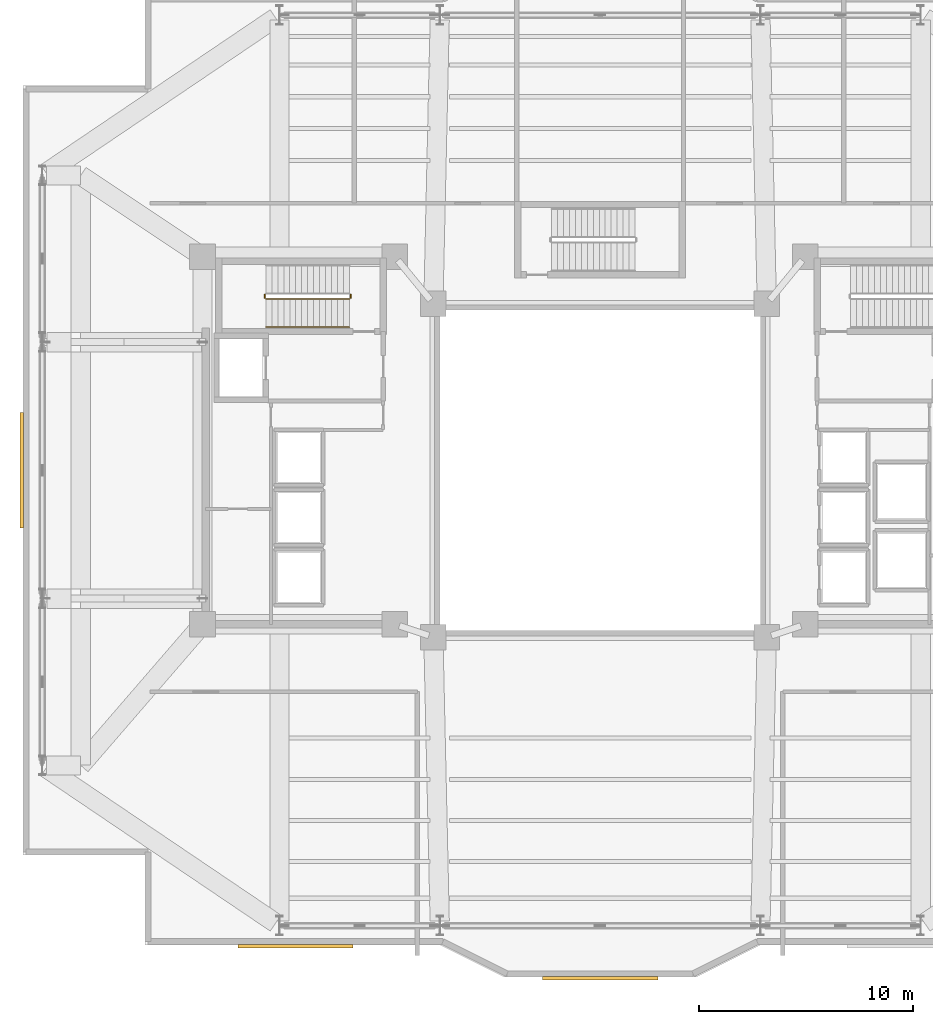
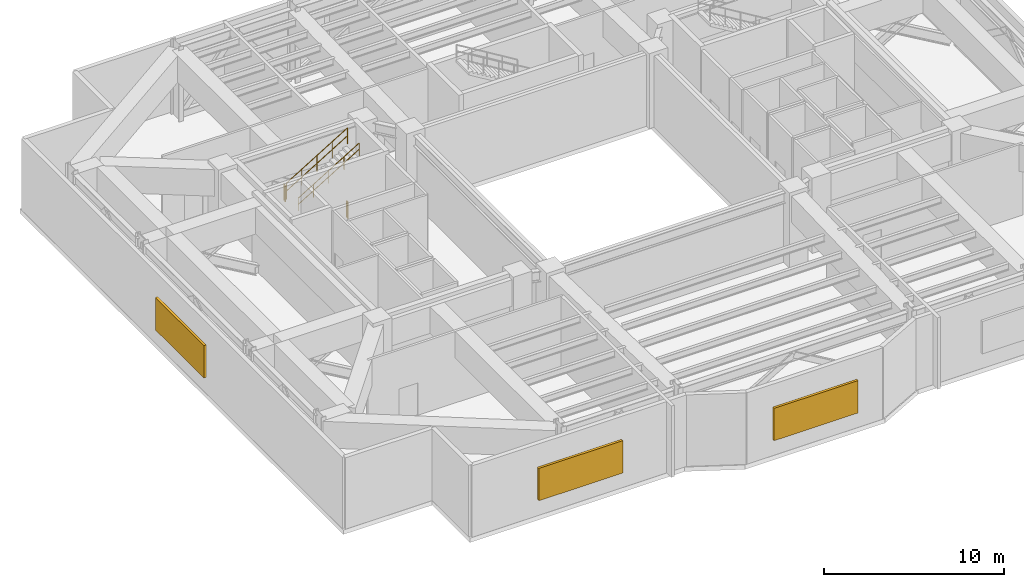
# One storey, part 11 of 13: 4 railings, 3 shading devices.
"""IFC4 building model written with IfcOpenShell, lengths in metres."""

from ifc_helpers import new_model, si_unit, direction, frame, origin, origin_2d, place, context, subcontext, project, spatial, rectangle, circle, extrude, material, layer, layer_set, type_object, element, save


model = new_model("IFC4")

# Units and contexts
model_context = context("Model", 3, precision=1e-05, world=origin(), true_north=direction((0.0, 1.0)))
body_context = subcontext(model_context, "Body", "Model", "MODEL_VIEW")
ifc_project = project(units=[si_unit("LENGTHUNIT", "METRE"), si_unit("AREAUNIT", "SQUARE_METRE"), si_unit("VOLUMEUNIT", "CUBIC_METRE"), si_unit("PLANEANGLEUNIT", "RADIAN"), si_unit("MASSUNIT", "GRAM", prefix="KILO")], contexts=[model_context])

# Site, building, storey
site_placement = place(None, origin())
site = spatial("IfcSite", under=ifc_project, at=site_placement, CompositionType="ELEMENT")
building_placement = place(site_placement, origin())
building = spatial("IfcBuilding", under=site, at=building_placement, Name="Tarnavaz Court Tower", CompositionType="ELEMENT")
storey_placement = place(building_placement, frame((0.0, 0.0, 127.5)))
storey = spatial("IfcBuildingStorey", under=building, at=storey_placement, Name="L34", CompositionType="ELEMENT", Elevation=127.5)

# Railings
ifc_material_1 = material(Name="Brushed Stainless Steel", Category="steel")
railing_type_1 = type_object("IfcRailingType", Name="RL-HANDRAIL-900", PredefinedType="HANDRAIL", material=ifc_material_1)
railing_1_placement = place(storey_placement, frame((-15.639892578125, 6.699951171875, 2.719970703125)))
element("IfcRailing", 1, at=railing_1_placement, inside=storey, type_object=railing_type_1, Name="L34 ST-W1 stair handrail 2", PredefinedType="HANDRAIL", context=body_context, shape_type="SweptSolid", body=[
    extrude(circle(Radius=0.02392578125, at=origin_2d()), frame((0.0, 0.0, 0.8759765625), z_axis=(0.854770645689, 0.0, 0.519005918337), x_axis=(0.0, 1.0, 0.0)), (0.0, 0.0, 1.0), 4.5859375),
    extrude(circle(Radius=0.02392578125, at=origin_2d()), frame((0.0, 0.0, 0.449951171875), z_axis=(0.854770645689, 0.0, 0.519005918337), x_axis=(0.0, 1.0, 0.0)), (0.0, 0.0, 1.0), 4.5859375),
    extrude(circle(Radius=0.02099609375, at=origin_2d()), origin(), (0.0, 0.0, 1.0), 0.851806640625),
    extrude(circle(Radius=0.02099609375, at=origin_2d()), frame((0.97998046875, 0.0, 0.594970703125)), (0.0, 0.0, 1.0), 0.851806640625),
    extrude(circle(Radius=0.02099609375, at=origin_2d()), frame((1.9599609375, 0.0, 1.18994140625)), (0.0, 0.0, 1.0), 0.851806640625),
    extrude(circle(Radius=0.02099609375, at=origin_2d()), frame((2.93994140625, 0.0, 1.78515625)), (0.0, 0.0, 1.0), 0.851806640625),
    extrude(circle(Radius=0.02099609375, at=origin_2d()), frame((3.919921875, 0.0, 2.380126953125)), (0.0, 0.0, 1.0), 0.851806640625),
])
ifc_material_2 = material(Name="Galvanized Painted Tubular Steel", Category="steel")
railing_type_2 = type_object("IfcRailingType", Name="RL-STGUARD-1120", PredefinedType="GUARDRAIL", material=ifc_material_2)
railing_2_placement = place(storey_placement, frame((-15.68994140625, 8.219970703125, 2.550048828125)))
element("IfcRailing", 2, at=railing_2_placement, inside=storey, type_object=railing_type_2, Name="L34 ST-W1 stair guard 2", PredefinedType="GUARDRAIL", context=body_context, shape_type="SweptSolid", body=[
    extrude(circle(Radius=0.02392578125, at=origin_2d()), frame((0.0, 0.0, 1.09619140625), z_axis=(0.0, -1.0, 0.0), x_axis=(1.0, 0.0, 0.0)), (0.0, 0.0, 1.0), 0.14990234375),
    extrude(circle(Radius=0.02392578125, at=origin_2d()), frame((0.0, 0.0, 0.56005859375), z_axis=(0.0, -1.0, 0.0), x_axis=(1.0, 0.0, 0.0)), (0.0, 0.0, 1.0), 0.14990234375),
    extrude(circle(Radius=0.02099609375, at=origin_2d()), origin(), (0.0, 0.0, 1.0), 1.072021484375),
    extrude(circle(Radius=0.02099609375, at=origin_2d()), frame((0.0, -0.14990234375, 0.0)), (0.0, 0.0, 1.0), 1.072021484375),
])
railing_3_placement = place(storey_placement, frame((-15.639892578125, 8.02001953125, 2.719970703125)))
element("IfcRailing", 3, at=railing_3_placement, inside=storey, type_object=railing_type_2, Name="L34 ST-W1 stair guard 3", PredefinedType="GUARDRAIL", context=body_context, shape_type="SweptSolid", body=[
    extrude(circle(Radius=0.02392578125, at=origin_2d()), frame((0.0, 0.0, 1.09619140625), z_axis=(0.854770645689, 0.0, 0.519005918337), x_axis=(0.0, 1.0, 0.0)), (0.0, 0.0, 1.0), 4.5859375),
    extrude(circle(Radius=0.02392578125, at=origin_2d()), frame((0.0, 0.0, 0.56005859375), z_axis=(0.854770645689, 0.0, 0.519005918337), x_axis=(0.0, 1.0, 0.0)), (0.0, 0.0, 1.0), 4.5859375),
    extrude(circle(Radius=0.02099609375, at=origin_2d()), origin(), (0.0, 0.0, 1.0), 1.072021484375),
    extrude(circle(Radius=0.02099609375, at=origin_2d()), frame((0.97998046875, 0.0, 0.594970703125)), (0.0, 0.0, 1.0), 1.072021484375),
    extrude(circle(Radius=0.02099609375, at=origin_2d()), frame((1.9599609375, 0.0, 1.18994140625)), (0.0, 0.0, 1.0), 1.072021484375),
    extrude(circle(Radius=0.02099609375, at=origin_2d()), frame((2.93994140625, 0.0, 1.78515625)), (0.0, 0.0, 1.0), 1.072021484375),
    extrude(circle(Radius=0.02099609375, at=origin_2d()), frame((3.919921875, 0.0, 2.380126953125)), (0.0, 0.0, 1.0), 1.072021484375),
])
railing_4_placement = place(storey_placement, frame((-11.669921875, 8.219970703125, 0.0)))
element("IfcRailing", 4, at=railing_4_placement, inside=storey, type_object=railing_type_2, Name="L34 ST-W1 stair guard 4", PredefinedType="GUARDRAIL", context=body_context, shape_type="SweptSolid", body=[
    extrude(circle(Radius=0.02392578125, at=origin_2d()), frame((0.0, 0.0, 1.09619140625), z_axis=(0.0, -1.0, 0.0), x_axis=(1.0, 0.0, 0.0)), (0.0, 0.0, 1.0), 0.14990234375),
    extrude(circle(Radius=0.02392578125, at=origin_2d()), frame((0.0, 0.0, 0.56005859375), z_axis=(0.0, -1.0, 0.0), x_axis=(1.0, 0.0, 0.0)), (0.0, 0.0, 1.0), 0.14990234375),
    extrude(circle(Radius=0.02099609375, at=origin_2d()), origin(), (0.0, 0.0, 1.0), 1.072021484375),
    extrude(circle(Radius=0.02099609375, at=origin_2d()), frame((0.0, -0.14990234375, 0.0)), (0.0, 0.0, 1.0), 1.072021484375),
])

# Shading devices
ifc_material_3 = material(Name="Anodised Aluminium 6063-T6 Acoustic Louvre", Category="aluminium")
ifc_layer = layer(ifc_material_3, 0.159912109375)
ifc_layer_set = layer_set([ifc_layer], Name="Anodised Aluminium 6063-T6 Acoustic Louvre")
shading_device_type = type_object("IfcShadingDeviceType", Name="SD-LOUV-200", PredefinedType="JALOUSIE", material=ifc_layer_set)
for number, where, z_axis, x_axis, name in (
    (5, (-27.06005859375, 0.0, 1.10009765625), (0.0, 0.0, 1.0), (0.0, 1.0, 0.0), "L34 Plant Sand-Trap Acoustic Louvre 02"),
    (6, (0.0, -23.760009765625, 1.10009765625), (0.0, 0.0, 1.0), (-1.0, 0.0, 0.0), "L34 Plant Sand-Trap Acoustic Louvre 17"),
    (7, (-14.25, -22.260009765625, 1.10009765625), (0.0, 0.0, 1.0), (-1.0, 0.0, 0.0), "L34 Plant Sand-Trap Acoustic Louvre 19"),
):
    element("IfcShadingDevice", number, at=place(storey_placement, frame(where, z_axis=z_axis, x_axis=x_axis)), inside=storey, type_object=shading_device_type, Name=name, PredefinedType="JALOUSIE", context=body_context, shape_type="SweptSolid", body=[
        extrude(rectangle(XDim=5.39990234375, YDim=0.159912109375, at=origin_2d()), origin(), (0.0, 0.0, 1.0), 2.199951171875),
    ])

save(model, "model.ifc")
